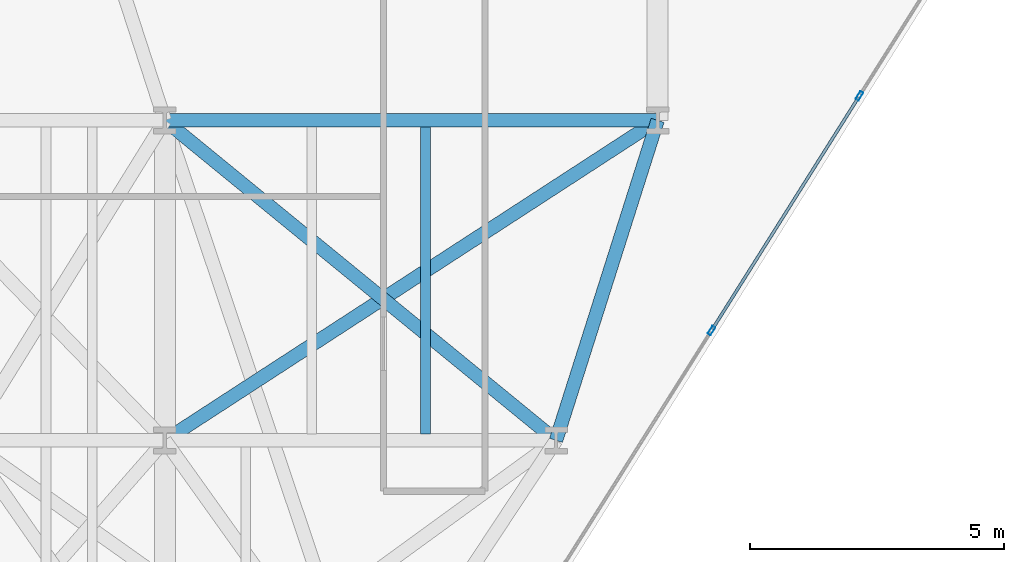
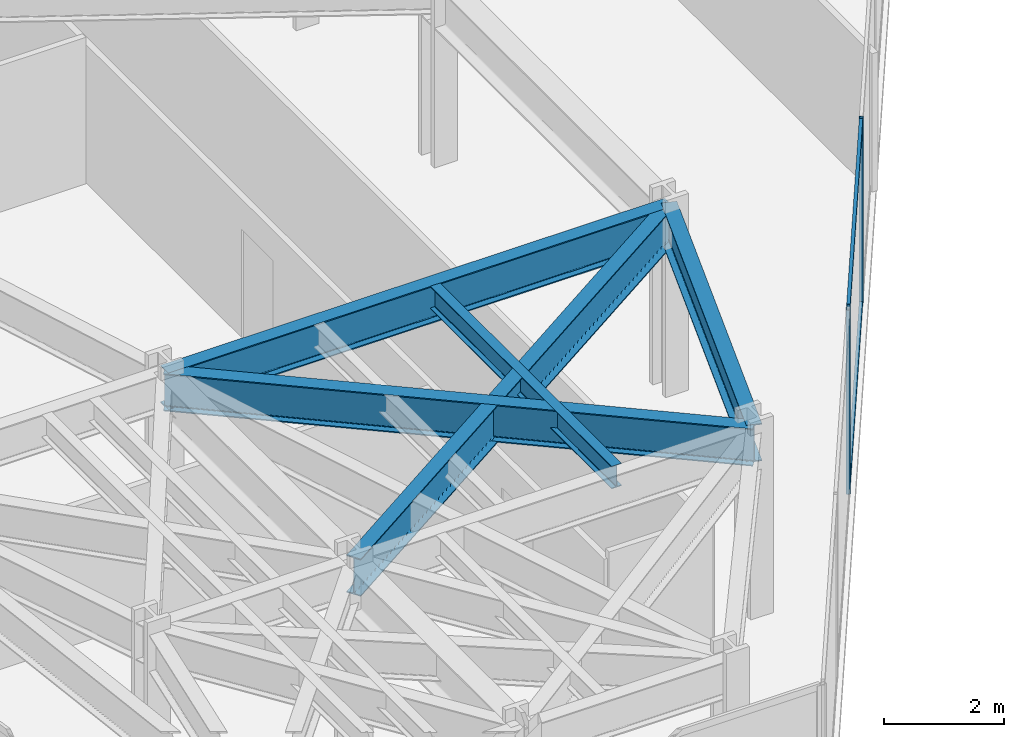
# One storey, part 6 of 25: 5 beams, 4 members, 1 element without a shape of its own.
"""IFC4 building model written with IfcOpenShell, lengths in metres."""

from ifc_helpers import new_model, si_unit, direction, frame, origin, origin_2d, place, context, subcontext, project, spatial, hollow_rectangle, i_section, extrude, material, layer, layer_set, material_profile, profile_set, type_object, element, aggregate, save


model = new_model("IFC4")

# Units and contexts
model_context = context("Model", 3, precision=1e-05, world=origin(), true_north=direction((0.0, 1.0)))
body_context = subcontext(model_context, "Body", "Model", "MODEL_VIEW")
ifc_project = project(units=[si_unit("LENGTHUNIT", "METRE"), si_unit("AREAUNIT", "SQUARE_METRE"), si_unit("VOLUMEUNIT", "CUBIC_METRE"), si_unit("PLANEANGLEUNIT", "RADIAN"), si_unit("MASSUNIT", "GRAM", prefix="KILO")], contexts=[model_context])

# Site, building, storey
site_placement = place(None, origin())
site = spatial("IfcSite", under=ifc_project, at=site_placement, CompositionType="ELEMENT")
building_placement = place(site_placement, origin())
building = spatial("IfcBuilding", under=site, at=building_placement, Name="Kravanh Interchange Tower", CompositionType="ELEMENT")
storey_placement = place(building_placement, frame((0.0, 0.0, 41.5)))
storey = spatial("IfcBuildingStorey", under=building, at=storey_placement, Name="L09", CompositionType="ELEMENT", Elevation=41.5)

# Curtain wall, members
ifc_material_1 = material(Name="Anodised Bronze Aluminium", Category="aluminium")
ifc_layer = layer(ifc_material_1, 0.179931640625)
ifc_layer_set = layer_set([ifc_layer], Name="Unitised Curtain Wall System CW-Z1 Lower Office")
curtain_wall_type = type_object("IfcCurtainWallType", Name="Unitised Curtain Wall System CW-Z1 Lower Office", PredefinedType="NOTDEFINED", material=ifc_layer_set)
curtain_wall_placement = place(storey_placement, origin())
curtain_wall = element("IfcCurtainWall", 1, at=curtain_wall_placement, inside=storey, type_object=curtain_wall_type, Name="L09 Unitised Curtain Wall CW-L09-05", PredefinedType="NOTDEFINED")
ifc_material_2 = material(Name="Anodised Bronze Aluminium", Category="aluminium")
ifc_material_profile_1 = material_profile(ifc_material_2, hollow_rectangle(XDim=0.070068359375, YDim=0.179931640625, WallThickness=0.00390625, at=origin_2d()), Name="ALU70X180X4")
ifc_profile_set_1 = profile_set([ifc_material_profile_1], Name="Anodised Bronze Aluminium")
member_type_1 = type_object("IfcMemberType", Name="Curtain Wall Mullion ALU70X180X4 Bronze", PredefinedType="MULLION", material=ifc_profile_set_1)
member_1_placement = place(storey_placement, frame((31.173583984375, 14.98291015625, 0.0), z_axis=(0.0, 0.0, 1.0), x_axis=(0.845925530786, -0.53330103728, 0.0)))
member_1 = element("IfcMember", 2, at=member_1_placement, type_object=member_type_1, Name="CW-Z1 mullion 3", PredefinedType="MULLION", context=body_context, shape_type="SweptSolid", body=[
    extrude(hollow_rectangle(XDim=0.070068359375, YDim=0.179931640625, WallThickness=0.00390625, at=origin_2d()), origin(), (0.0, 0.0, 1.0), 3.739990234375),
])
member_2_placement = place(storey_placement, frame((28.26025390625, 10.362060546875, 0.0), z_axis=(0.0, 0.0, 1.0), x_axis=(0.845925530786, -0.53330103728, 0.0)))
member_2 = element("IfcMember", 3, at=member_2_placement, type_object=member_type_1, Name="CW-Z1 mullion 4", PredefinedType="MULLION", context=body_context, shape_type="SweptSolid", body=[
    extrude(hollow_rectangle(XDim=0.070068359375, YDim=0.179931640625, WallThickness=0.00390625, at=origin_2d()), origin(), (0.0, 0.0, 1.0), 3.739990234375),
])
ifc_material_3 = material(Name="Anodised Bronze Aluminium", Category="aluminium")
ifc_material_profile_2 = material_profile(ifc_material_3, hollow_rectangle(XDim=0.06005859375, YDim=0.139892578125, WallThickness=0.00390625, at=origin_2d()), Name="ALU60X140X4")
ifc_profile_set_2 = profile_set([ifc_material_profile_2], Name="Anodised Bronze Aluminium")
member_type_2 = type_object("IfcMemberType", Name="Curtain Wall Transom ALU60X140X4 Bronze", PredefinedType="USERDEFINED", material=ifc_profile_set_2)
member_3_placement = place(storey_placement, frame((31.15478515625, 14.953369140625, 0.030029296875), z_axis=(-0.533279090152, -0.845939366626, 0.0), x_axis=(0.845939366626, -0.533279090152, 0.0)))
member_3 = element("IfcMember", 4, at=member_3_placement, type_object=member_type_2, Name="CW-Z1 transom 3.1", ObjectType="TRANSOM", PredefinedType="USERDEFINED", context=body_context, shape_type="SweptSolid", body=[
    extrude(hollow_rectangle(XDim=0.06005859375, YDim=0.139892578125, WallThickness=0.00390625, at=origin_2d()), origin(), (0.0, 0.0, 1.0), 5.392578125),
])
member_4_placement = place(storey_placement, frame((31.15478515625, 14.953369140625, 3.7099609375), z_axis=(-0.533279090152, -0.845939366626, 0.0), x_axis=(0.845939366626, -0.533279090152, 0.0)))
member_4 = element("IfcMember", 5, at=member_4_placement, type_object=member_type_2, Name="CW-Z1 transom 3.2", ObjectType="TRANSOM", PredefinedType="USERDEFINED", context=body_context, shape_type="SweptSolid", body=[
    extrude(hollow_rectangle(XDim=0.06005859375, YDim=0.139892578125, WallThickness=0.00390625, at=origin_2d()), origin(), (0.0, 0.0, 1.0), 5.392578125),
])
aggregate(curtain_wall, [member_1, member_2, member_3, member_4])

# Beams
ifc_material_4 = material(Name="Structural Steel S355", Category="steel")
ifc_material_profile_3 = material_profile(ifc_material_4, i_section(OverallWidth=0.18994140625, OverallDepth=0.45703125, WebThickness=0.009033203125, FlangeThickness=0.014404296875, FilletRadius=0.01806640625, at=origin_2d()), Name="W18X50")
ifc_profile_set_3 = profile_set([ifc_material_profile_3], Name="Structural Steel S355")
beam_type_1 = type_object("IfcBeamType", Name="Floor Joist W18X50 Structural Steel S355", PredefinedType="JOIST", material=ifc_profile_set_3)
beam_1_placement = place(storey_placement, frame((22.6298828125, 8.32861328125, 3.511474609375), z_axis=(0.0, 1.0, 0.0), x_axis=(-1.0, 0.0, 0.0)))
element("IfcBeam", 6, at=beam_1_placement, inside=storey, type_object=beam_type_1, Name="L09 Secondary Floor Joist 10", PredefinedType="JOIST", context=body_context, shape_type="SweptSolid", body=[
    extrude(i_section(OverallWidth=0.18994140625, OverallDepth=0.45703125, WebThickness=0.009033203125, FlangeThickness=0.014404296875, FilletRadius=0.01806640625, at=origin_2d()), origin(), (0.0, 0.0, 1.0), 6.04296875),
])
ifc_material_5 = material(Name="Structural Steel S355", Category="steel")
ifc_material_profile_4 = material_profile(ifc_material_5, i_section(OverallWidth=0.26708984375, OverallDepth=0.761962890625, WebThickness=0.014404296875, FlangeThickness=0.021484375, FilletRadius=0.02490234375, at=origin_2d()), Name="W30X116")
ifc_profile_set_4 = profile_set([ifc_material_profile_4], Name="Structural Steel S355")
beam_type_2 = type_object("IfcBeamType", Name="Floor Spandrel W30X116 Structural Steel S355", PredefinedType="SPANDREL", material=ifc_profile_set_4)
beam_2_placement = place(storey_placement, frame((17.5, 8.199951171875, 3.35888671875), z_axis=(0.838637911458, 0.544689318295, 0.0), x_axis=(-0.544689318295, 0.838637911458, 0.0)))
element("IfcBeam", 7, at=beam_2_placement, inside=storey, type_object=beam_type_2, Name="L09 Perimeter Spandrel 139", PredefinedType="SPANDREL", context=body_context, shape_type="SweptSolid", body=[
    extrude(i_section(OverallWidth=0.26708984375, OverallDepth=0.761962890625, WebThickness=0.014404296875, FlangeThickness=0.021484375, FilletRadius=0.02490234375, at=origin_2d()), origin(), (0.0, 0.0, 1.0), 11.56640625),
])
beam_3_placement = place(storey_placement, frame((25.199951171875, 8.199951171875, 3.35888671875), z_axis=(0.30257700201, 0.953124943465, 0.0), x_axis=(-0.953124943465, 0.30257700201, 0.0)))
element("IfcBeam", 8, at=beam_3_placement, inside=storey, type_object=beam_type_2, Name="L09 Perimeter Spandrel 140", PredefinedType="SPANDREL", context=body_context, shape_type="SweptSolid", body=[
    extrude(i_section(OverallWidth=0.26708984375, OverallDepth=0.761962890625, WebThickness=0.014404296875, FlangeThickness=0.021484375, FilletRadius=0.02490234375, at=origin_2d()), origin(), (0.0, 0.0, 1.0), 6.60986328125),
])
beam_4_placement = place(storey_placement, frame((25.199951171875, 8.199951171875, 3.35888671875), z_axis=(-0.773952925799, 0.633243135491, 0.0), x_axis=(-0.633243135491, -0.773952925799, 0.0)))
element("IfcBeam", 9, at=beam_4_placement, inside=storey, type_object=beam_type_2, Name="L09 Perimeter Spandrel 141", PredefinedType="SPANDREL", context=body_context, shape_type="SweptSolid", body=[
    extrude(i_section(OverallWidth=0.26708984375, OverallDepth=0.761962890625, WebThickness=0.014404296875, FlangeThickness=0.021484375, FilletRadius=0.02490234375, at=origin_2d()), origin(), (0.0, 0.0, 1.0), 9.948974609375),
])
beam_5_placement = place(storey_placement, frame((17.5, 14.5, 3.35888671875), z_axis=(1.0, 0.0, 0.0), x_axis=(0.0, 1.0, 0.0)))
element("IfcBeam", 10, at=beam_5_placement, inside=storey, type_object=beam_type_2, Name="L09 Perimeter Spandrel 144", PredefinedType="SPANDREL", context=body_context, shape_type="SweptSolid", body=[
    extrude(i_section(OverallWidth=0.26708984375, OverallDepth=0.761962890625, WebThickness=0.014404296875, FlangeThickness=0.021484375, FilletRadius=0.02490234375, at=origin_2d()), origin(), (0.0, 0.0, 1.0), 9.699951171875),
])

save(model, "model.ifc")
